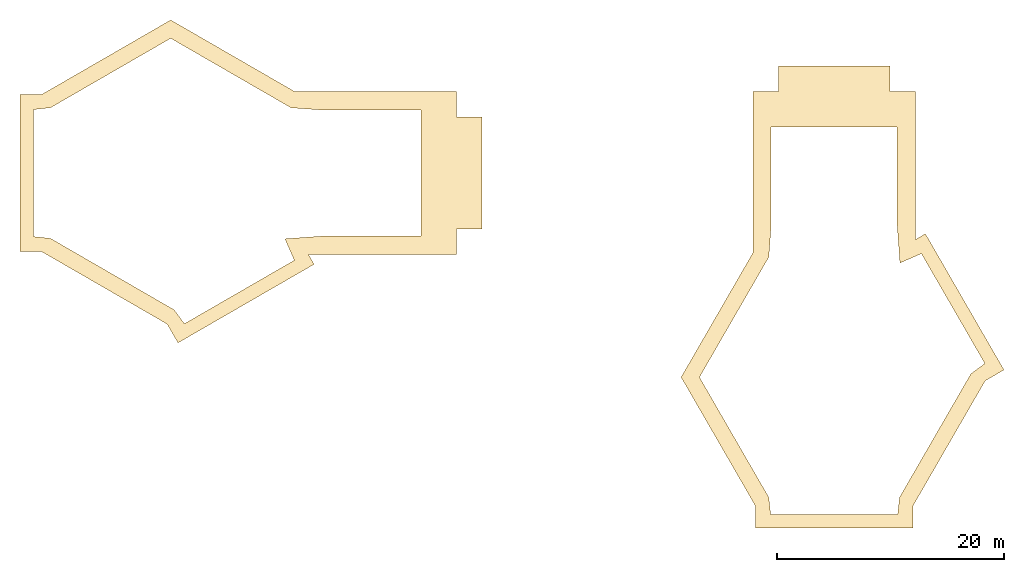
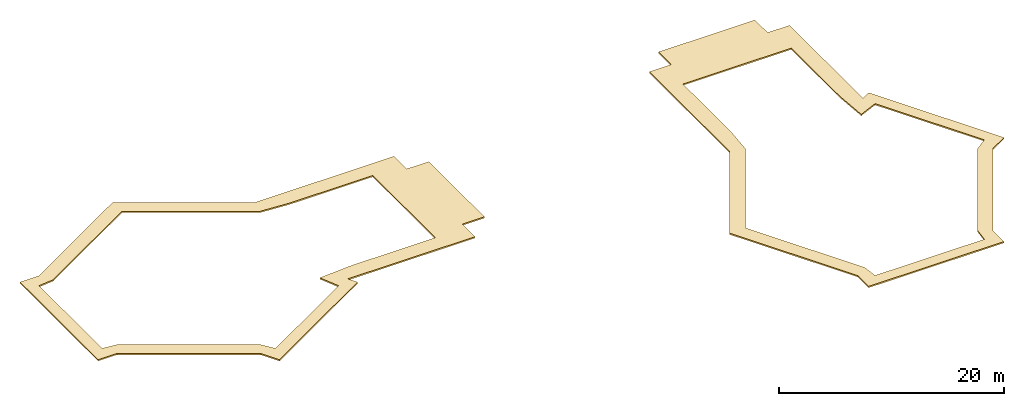
# One storey: 2 coverings.
"""IFC4 building model written with IfcOpenShell, lengths in metres."""

import ifcopenshell
import ifcopenshell.guid

model = None  # the IFC model being written
_history = None  # IfcOwnerHistory: only IFC2X3 demands one
_inside = {}  # id of a spatial element -> (the spatial element, [elements in it])
_under = {}  # id of a project, library or spatial element -> (it, [spatial elements below it])
_declared = {}  # id of a project -> (the project, [libraries it declares])
_typed = {}  # id of a type object -> (the type object, [elements of that type])
_made_of = {}  # id of a material, layer set ... -> (it, [elements and type objects made of it])


def new_model(schema):
    """Start an empty IFC model of exactly this schema.

    Asked for "IFC4X3", IfcOpenShell would pick the latest addendum, in which some entities
    have other attributes; the version numbers below select the first issue.
    IFC2X3 requires an IfcOwnerHistory on every rooted entity: one is made here for all.
    """
    global model, _history
    if schema == "IFC4X3":
        model = ifcopenshell.file(schema_version=(4, 3, 0, 0))
    else:
        model = ifcopenshell.file(schema=schema)
    _inside.clear()
    _under.clear()
    _declared.clear()
    _typed.clear()
    _made_of.clear()
    _history = None
    if model.schema == "IFC2X3":
        org = make("IfcOrganization", Name="unknown")
        user = make(
            "IfcPersonAndOrganization",
            ThePerson=make("IfcPerson", FamilyName="unknown"),
            TheOrganization=org,
        )
        app = make(
            "IfcApplication",
            ApplicationDeveloper=org,
            Version="unknown",
            ApplicationFullName="unknown",
            ApplicationIdentifier="unknown",
        )
        _history = make(
            "IfcOwnerHistory",
            OwningUser=user,
            OwningApplication=app,
            ChangeAction="ADDED",
            CreationDate=0,
        )
    return model


def make(cls, **values):
    """One entity of the class cls with the attributes given. An attribute that is None is left unset."""
    return model.create_entity(
        cls, **{name: value for name, value in values.items() if value is not None}
    )


def rooted(cls, **values):
    """An entity with a GlobalId (a new one), such as an element, a storey or a relation."""
    return make(cls, GlobalId=ifcopenshell.guid.new(), OwnerHistory=_history, **values)


def si_unit(unit_type, name, prefix=None):
    """IfcSIUnit, for example si_unit("LENGTHUNIT", "METRE", prefix="MILLI")."""
    return make("IfcSIUnit", UnitType=unit_type, Prefix=prefix, Name=name)


def assignment(units):
    """IfcUnitAssignment: the units of a project."""
    return None if units is None else make("IfcUnitAssignment", Units=units)


def point(xyz):
    """IfcCartesianPoint."""
    return None if xyz is None else make("IfcCartesianPoint", Coordinates=xyz)


def direction(xyz):
    """IfcDirection."""
    return None if xyz is None else make("IfcDirection", DirectionRatios=xyz)


def frame(location, z_axis=None, x_axis=None):
    """IfcAxis2Placement3D, a coordinate frame: its origin and axes. An axis left out is left unset."""
    return make(
        "IfcAxis2Placement3D",
        Location=point(location),
        Axis=direction(z_axis),
        RefDirection=direction(x_axis),
    )


def origin():
    """The frame at (0, 0, 0) with its axes left unset."""
    return frame((0.0, 0.0, 0.0))


def place(relative_to, where):
    """IfcLocalPlacement: puts the frame where relative to a parent placement (None: the world)."""
    return make(
        "IfcLocalPlacement", PlacementRelTo=relative_to, RelativePlacement=where
    )


def context(
    kind, dimensions, precision=None, world=None, true_north=None, identifier=None
):
    """IfcGeometricRepresentationContext, for example the 3D "Model" context."""
    return make(
        "IfcGeometricRepresentationContext",
        ContextIdentifier=identifier,
        ContextType=kind,
        CoordinateSpaceDimension=dimensions,
        Precision=precision,
        WorldCoordinateSystem=world,
        TrueNorth=true_north,
    )


def subcontext(parent, identifier, kind, view, scale=None):
    """IfcGeometricRepresentationSubContext, for example "Body" below "Model"."""
    return make(
        "IfcGeometricRepresentationSubContext",
        ContextIdentifier=identifier,
        ContextType=kind,
        ParentContext=parent,
        TargetScale=scale,
        TargetView=view,
    )


def project(units=None, contexts=None):
    """IfcProject with its units and contexts."""
    return rooted(
        "IfcProject",
        Name="project",
        RepresentationContexts=contexts,
        UnitsInContext=assignment(units),
    )


def spatial(cls, under=None, at=None, **own):
    """A site, building, storey or space (cls), placed at a placement, below another one or the project."""
    s = rooted(cls, ObjectPlacement=at, **own)
    if under is not None:
        _under.setdefault(under.id(), (under, []))[1].append(s)
    return s


def polyline(points):
    """IfcPolyline through the points."""
    return make("IfcPolyline", Points=[point(p) for p in points])


def outline(outer, holes=None, kind="AREA"):
    """IfcArbitraryClosedProfileDef: a profile drawn as a closed curve; with holes, ...WithVoids."""
    if holes is None:
        return make("IfcArbitraryClosedProfileDef", ProfileType=kind, OuterCurve=outer)
    return make(
        "IfcArbitraryProfileDefWithVoids",
        ProfileType=kind,
        OuterCurve=outer,
        InnerCurves=holes,
    )


def extrude(swept, where, along, depth):
    """IfcExtrudedAreaSolid: the profile swept, set in the frame where, extruded along a direction by depth."""
    return make(
        "IfcExtrudedAreaSolid",
        SweptArea=swept,
        Position=where,
        ExtrudedDirection=direction(along),
        Depth=depth,
    )


def shape(context_of_items, identifier, shape_type, items):
    """IfcShapeRepresentation: the items that make up one representation, for example the "Body"."""
    return make(
        "IfcShapeRepresentation",
        ContextOfItems=context_of_items,
        RepresentationIdentifier=identifier,
        RepresentationType=shape_type,
        Items=items,
    )


def material(Name=None, Category=None):
    """IfcMaterial."""
    return make("IfcMaterial", Name=Name, Category=Category)


def layer(
    of_material, thickness, ventilated=None, Name=None, Category=None, Priority=None
):
    """IfcMaterialLayer: one layer of a wall or slab, of a material (None: an air gap)."""
    return make(
        "IfcMaterialLayer",
        Material=of_material,
        LayerThickness=thickness,
        IsVentilated=ventilated,
        Name=Name,
        Category=Category,
        Priority=Priority,
    )


def layer_set(layers, Name=None):
    """IfcMaterialLayerSet."""
    return make("IfcMaterialLayerSet", MaterialLayers=layers, LayerSetName=Name)


def made_of(thing, what):
    """Note that an element or type object is made of a material, layer set ...; save() writes the relation."""
    if what is not None:
        _made_of.setdefault(what.id(), (what, []))[1].append(thing)
    return thing


def type_object(cls, material=None, **own):
    """A type object (cls), such as IfcWallType, which elements share."""
    return made_of(rooted(cls, **own), material)


def element(
    cls,
    number,
    at=None,
    inside=None,
    cuts=None,
    type_object=None,
    material=None,
    context=None,
    identifier="Body",
    shape_type=None,
    held_by="IfcProductDefinitionShape",
    body=None,
    shapes=None,
    **own,
):
    """One element of the class cls, such as IfcWall. Its Tag is "e" and its number.

    at: its placement. inside: the storey or other place that contains it. cuts: it is an
    opening in that element (IfcRelVoidsElement). A single representation is given by context,
    identifier, shape_type and body (its items); several are given by shapes. held_by: the class
    of the entity that holds the representations. save() writes the other relations.
    """
    e = rooted(cls, Tag="e%d" % number, ObjectPlacement=at, **own)
    if body is not None:
        shapes = [shape(context, identifier, shape_type, body)]
    if shapes is not None:
        e.Representation = make(held_by, Representations=shapes)
    if inside is not None:
        _inside.setdefault(inside.id(), (inside, []))[1].append(e)
    if cuts is not None:
        rooted(
            "IfcRelVoidsElement", RelatingBuildingElement=cuts, RelatedOpeningElement=e
        )
    if type_object is not None:
        _typed.setdefault(type_object.id(), (type_object, []))[1].append(e)
    return made_of(e, material)


def aggregate(whole, parts):
    """IfcRelAggregates: a whole, such as a stair, and the parts it consists of."""
    return rooted("IfcRelAggregates", RelatingObject=whole, RelatedObjects=parts)


def save(model, path):
    """Write the relations noted so far, then the file.

    IfcRelAggregates (storeys below a building ...), IfcRelContainedInSpatialStructure (elements
    in a storey), IfcRelDefinesByType, IfcRelAssociatesMaterial and IfcRelDeclares: one each for
    every whole, place, type object, material and project.
    """
    for whole, parts in _under.values():
        aggregate(whole, parts)
    for where, things in _inside.values():
        rooted(
            "IfcRelContainedInSpatialStructure",
            RelatedElements=things,
            RelatingStructure=where,
        )
    for kind, things in _typed.values():
        rooted("IfcRelDefinesByType", RelatedObjects=things, RelatingType=kind)
    for what, things in _made_of.values():
        rooted("IfcRelAssociatesMaterial", RelatedObjects=things, RelatingMaterial=what)
    for by, libraries in _declared.values():
        rooted("IfcRelDeclares", RelatingContext=by, RelatedDefinitions=libraries)
    model.write(path)


model = new_model("IFC4")

# Units and contexts
model_context = context("Model", 3, precision=1e-05, world=origin(), true_north=direction((0.0, 1.0)))
body_context = subcontext(model_context, "Body", "Model", "MODEL_VIEW")
ifc_project = project(units=[si_unit("LENGTHUNIT", "METRE"), si_unit("AREAUNIT", "SQUARE_METRE"), si_unit("VOLUMEUNIT", "CUBIC_METRE"), si_unit("PLANEANGLEUNIT", "RADIAN"), si_unit("MASSUNIT", "GRAM", prefix="KILO")], contexts=[model_context])

# Site, building, storey
site_placement = place(None, origin())
site = spatial("IfcSite", under=ifc_project, at=site_placement, CompositionType="ELEMENT")
building_placement = place(site_placement, origin())
building = spatial("IfcBuilding", under=site, at=building_placement, Name="Upepo Twin Towers", CompositionType="ELEMENT")
storey_placement = place(building_placement, frame((0.0, 0.0, 305.60400390625)))
storey = spatial("IfcBuildingStorey", under=building, at=storey_placement, Name="RF CAP", CompositionType="ELEMENT", Elevation=305.60400390625)

# Coverings
ifc_material = material(Name="Folded aluminium sheet, pale silver, on a galvanised steel subframe", Category="steel")
ifc_layer = layer(ifc_material, 0.14990234375)
ifc_layer_set = layer_set([ifc_layer], Name="Crown cap 150 folded aluminium")
covering_type = type_object("IfcCoveringType", Name="Crown cap 150 folded aluminium", PredefinedType="ROOFING", material=ifc_layer_set)
covering_1_placement = place(storey_placement, origin())
element("IfcCovering", 1, at=covering_1_placement, inside=storey, type_object=covering_type, Name="T1 crown cap", PredefinedType="ROOFING", context=body_context, shape_type="SweptSolid", body=[
    extrude(outline(polyline([(12.645751953125, -8.04296875), (0.642578125, -14.97314453125), (-0.314697265625, -13.314697265625), (-11.37353515625, -6.929931640625), (-13.288330078125, -6.929931640625), (-13.288330078125, 6.929931640625), (-11.37353515625, 6.929931640625), (0.0, 13.49658203125), (10.9404296875, 7.179931640625), (25.179931640625, 7.179931640625), (25.179931640625, 4.929931640625), (27.429931640625, 4.929931640625), (27.429931640625, -4.929931640625), (25.179931640625, -4.929931640625), (25.179931640625, -7.179931640625), (12.1474609375, -7.179931640625), (12.645751953125, -8.04296875)]), holes=[polyline([(10.603271484375, 5.758544921875), (13.483642578125, 5.550048828125), (22.050048828125, 5.550048828125), (22.050048828125, -5.550048828125), (13.483642578125, -5.550048828125), (10.070068359375, -5.79736328125), (10.901123046875, -7.687744140625), (1.207275390625, -13.284423828125), (0.306884765625, -12.0576171875), (-10.595703125, -5.762939453125), (-12.1083984375, -5.5966796875), (-12.1083984375, 5.5966796875), (-10.595703125, 5.762939453125), (0.0, 11.88037109375), (10.603271484375, 5.758544921875)])]), origin(), (0.0, 0.0, 1.0), 0.14990234375),
])
covering_2_placement = place(storey_placement, origin())
element("IfcCovering", 2, at=covering_2_placement, inside=storey, type_object=covering_type, Name="T2 crown cap", PredefinedType="ROOFING", context=body_context, shape_type="SweptSolid", body=[
    extrude(outline(polyline([(66.54296875, -5.354248046875), (73.47314453125, -17.357421875), (71.814697265625, -18.314697265625), (65.429931640625, -29.37353515625), (65.429931640625, -31.288330078125), (51.570068359375, -31.288330078125), (51.570068359375, -29.37353515625), (45.00341796875, -18.0), (51.320068359375, -7.0595703125), (51.320068359375, 7.179931640625), (53.570068359375, 7.179931640625), (53.570068359375, 9.429931640625), (63.429931640625, 9.429931640625), (63.429931640625, 7.179931640625), (65.679931640625, 7.179931640625), (65.679931640625, -5.8525390625), (66.54296875, -5.354248046875)]), holes=[polyline([(52.741455078125, -7.396728515625), (52.949951171875, -4.516357421875), (52.949951171875, 4.050048828125), (64.050048828125, 4.050048828125), (64.050048828125, -4.516357421875), (64.29736328125, -7.929931640625), (66.187744140625, -7.098876953125), (71.784423828125, -16.792724609375), (70.5576171875, -17.693115234375), (64.262939453125, -28.595703125), (64.0966796875, -30.1083984375), (52.9033203125, -30.1083984375), (52.737060546875, -28.595703125), (46.61962890625, -18.0), (52.741455078125, -7.396728515625)])]), origin(), (0.0, 0.0, 1.0), 0.14990234375),
])

save(model, "model.ifc")
